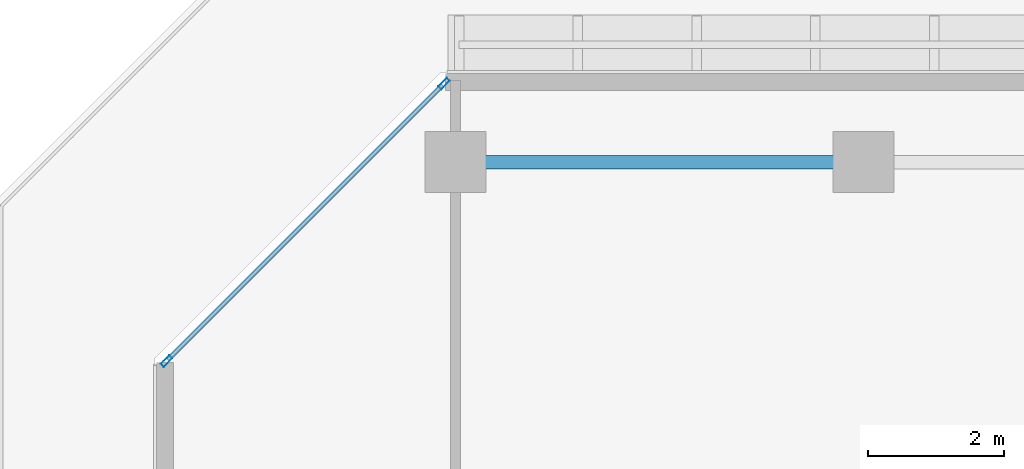
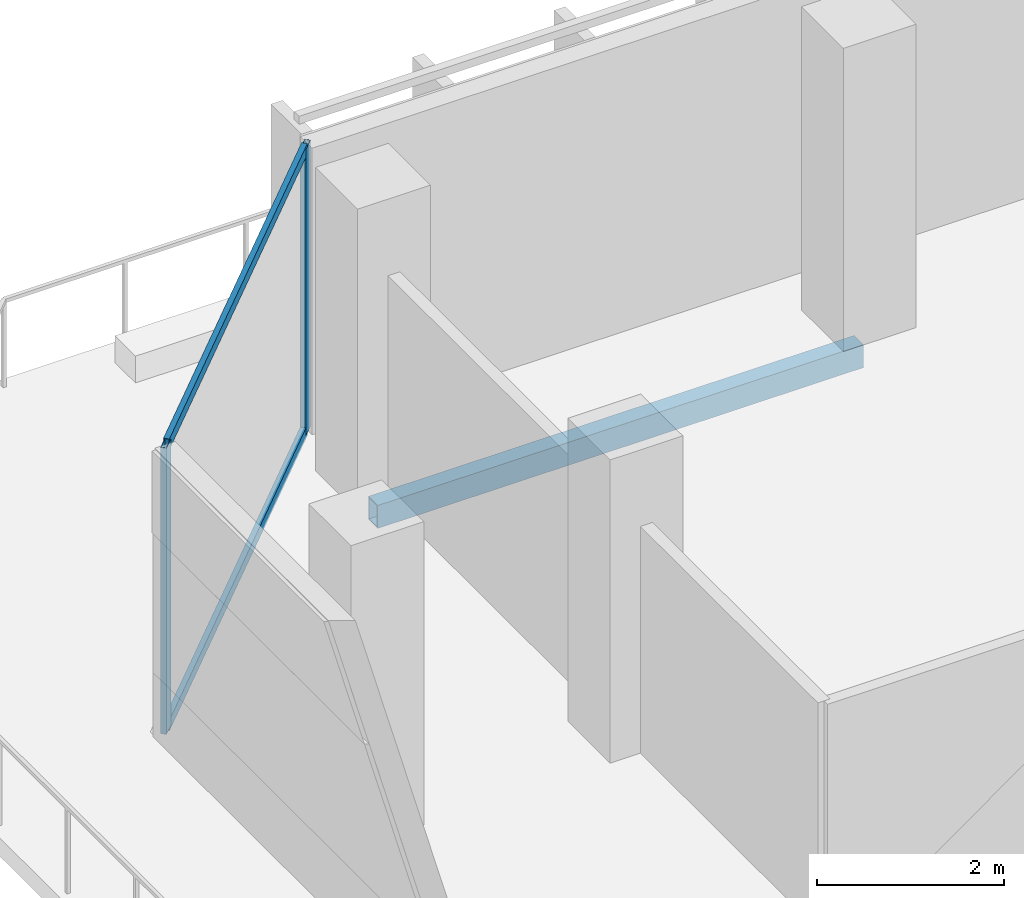
# One storey, part 9 of 30: 4 members, 1 beam, 1 element without a shape of its own.
"""IFC4 building model written with IfcOpenShell, lengths in metres."""

from ifc_helpers import new_model, si_unit, direction, frame, origin, origin_2d, place, context, subcontext, project, spatial, hollow_rectangle, extrude, material, layer, layer_set, material_profile, profile_set, type_object, element, aggregate, save


model = new_model("IFC4")

# Units and contexts
model_context = context("Model", 3, precision=1e-05, world=origin(), true_north=direction((0.0, 1.0)))
body_context = subcontext(model_context, "Body", "Model", "MODEL_VIEW")
ifc_project = project(units=[si_unit("LENGTHUNIT", "METRE"), si_unit("AREAUNIT", "SQUARE_METRE"), si_unit("VOLUMEUNIT", "CUBIC_METRE"), si_unit("PLANEANGLEUNIT", "RADIAN"), si_unit("MASSUNIT", "GRAM", prefix="KILO")], contexts=[model_context])

# Site, building, storey
site_placement = place(None, origin())
site = spatial("IfcSite", under=ifc_project, at=site_placement, CompositionType="ELEMENT")
building_placement = place(site_placement, origin())
building = spatial("IfcBuilding", under=site, at=building_placement, Name="Tanjung Sevakor Pilgrim Tower", CompositionType="ELEMENT")
storey_placement = place(building_placement, frame((0.0, 0.0, 128.0400390625)))
storey = spatial("IfcBuildingStorey", under=building, at=storey_placement, Name="L35", CompositionType="ELEMENT", Elevation=128.0400390625)

# Beam
ifc_material_1 = material(Name="Steel S355J2", Category="steel")
ifc_material_profile_1 = material_profile(ifc_material_1, hollow_rectangle(XDim=0.199951171875, YDim=0.300048828125, WallThickness=0.012451171875, at=origin_2d()))
ifc_profile_set_1 = profile_set([ifc_material_profile_1], Name="Steel S355J2")
beam_type = type_object("IfcBeamType", Name="BM-B-SP3-RHS_300x200x12.5", PredefinedType="SPANDREL", material=ifc_profile_set_1)
beam_placement = place(storey_placement, frame((24.0, 54.0, -0.429931640625), z_axis=(1.0, 0.0, 0.0), x_axis=(0.0, 1.0, 0.0)))
element("IfcBeam", 1, at=beam_placement, inside=storey, type_object=beam_type, Name="L35 Spandrel MAIN N-02", PredefinedType="SPANDREL", context=body_context, shape_type="SweptSolid", body=[
    extrude(hollow_rectangle(XDim=0.199951171875, YDim=0.300048828125, WallThickness=0.012451171875, at=origin_2d()), origin(), (0.0, 0.0, 1.0), 6.0),
])

# Curtain wall, members
ifc_material_2 = material(Name="Aluminium 6063-T6 and Low-E Glass", Category="aluminium")
ifc_layer = layer(ifc_material_2, 0.179931640625)
ifc_layer_set = layer_set([ifc_layer], Name="CW-SYS-CHAM")
curtain_wall_type = type_object("IfcCurtainWallType", Name="CW-SYS-CHAM", PredefinedType="NOTDEFINED", material=ifc_layer_set)
curtain_wall_placement = place(storey_placement, origin())
curtain_wall = element("IfcCurtainWall", 2, at=curtain_wall_placement, inside=storey, type_object=curtain_wall_type, Name="L35 Curtain Wall CW-CHM-L35-MAIN-13", PredefinedType="NOTDEFINED")
ifc_material_3 = material(Name="Aluminium 6063-T6", Category="aluminium")
ifc_material_profile_2 = material_profile(ifc_material_3, hollow_rectangle(XDim=0.06494140625, YDim=0.179931640625, WallThickness=0.00390625, at=origin_2d()))
ifc_profile_set_2 = profile_set([ifc_material_profile_2], Name="Aluminium 6063-T6")
member_type_1 = type_object("IfcMemberType", Name="TYPE-CWM-1", PredefinedType="MULLION", material=ifc_profile_set_2)
member_1_placement = place(storey_placement, frame((23.828857421875, 55.152099609375, 0.0), z_axis=(0.0, 0.0, 1.0), x_axis=(0.707106781187, -0.707106781187, 0.0)))
member_1 = element("IfcMember", 3, at=member_1_placement, type_object=member_type_1, Name="CW-CHM mullion 1", PredefinedType="MULLION", context=body_context, shape_type="SweptSolid", body=[
    extrude(hollow_rectangle(XDim=0.06494140625, YDim=0.179931640625, WallThickness=0.00390625, at=origin_2d()), origin(), (0.0, 0.0, 1.0), 3.739990234375),
])
member_2_placement = place(storey_placement, frame((19.748046875, 51.0712890625, 0.0), z_axis=(0.0, 0.0, 1.0), x_axis=(0.707106781187, -0.707106781187, 0.0)))
member_2 = element("IfcMember", 4, at=member_2_placement, type_object=member_type_1, Name="CW-CHM mullion 2", PredefinedType="MULLION", context=body_context, shape_type="SweptSolid", body=[
    extrude(hollow_rectangle(XDim=0.06494140625, YDim=0.179931640625, WallThickness=0.00390625, at=origin_2d()), origin(), (0.0, 0.0, 1.0), 3.739990234375),
])
ifc_material_4 = material(Name="Aluminium 6063-T6", Category="aluminium")
ifc_material_profile_3 = material_profile(ifc_material_4, hollow_rectangle(XDim=0.06494140625, YDim=0.139892578125, WallThickness=0.00390625, at=origin_2d()))
ifc_profile_set_3 = profile_set([ifc_material_profile_3], Name="Aluminium 6063-T6")
member_type_2 = type_object("IfcMemberType", Name="TYPE-CWT-1", PredefinedType="USERDEFINED", material=ifc_profile_set_3)
member_3_placement = place(storey_placement, frame((23.805908203125, 55.129150390625, 0.032470703125), z_axis=(-0.707106781187, -0.707106781187, 0.0), x_axis=(0.707106781187, -0.707106781187, 0.0)))
member_3 = element("IfcMember", 5, at=member_3_placement, type_object=member_type_2, Name="CW-CHM transom 1.1", ObjectType="TRANSOM", PredefinedType="USERDEFINED", context=body_context, shape_type="SweptSolid", body=[
    extrude(hollow_rectangle(XDim=0.06494140625, YDim=0.139892578125, WallThickness=0.00390625, at=origin_2d()), origin(), (0.0, 0.0, 1.0), 5.706298828125),
])
member_4_placement = place(storey_placement, frame((23.805908203125, 55.129150390625, 3.70751953125), z_axis=(-0.707106781187, -0.707106781187, 0.0), x_axis=(0.707106781187, -0.707106781187, 0.0)))
member_4 = element("IfcMember", 6, at=member_4_placement, type_object=member_type_2, Name="CW-CHM transom 1.2", ObjectType="TRANSOM", PredefinedType="USERDEFINED", context=body_context, shape_type="SweptSolid", body=[
    extrude(hollow_rectangle(XDim=0.06494140625, YDim=0.139892578125, WallThickness=0.00390625, at=origin_2d()), origin(), (0.0, 0.0, 1.0), 5.706298828125),
])
aggregate(curtain_wall, [member_1, member_2, member_3, member_4])

save(model, "model.ifc")
